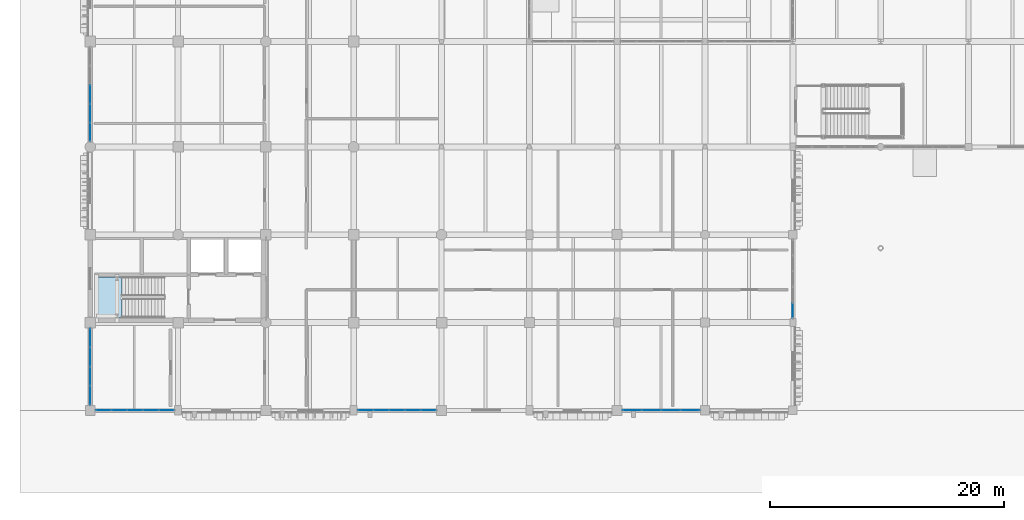
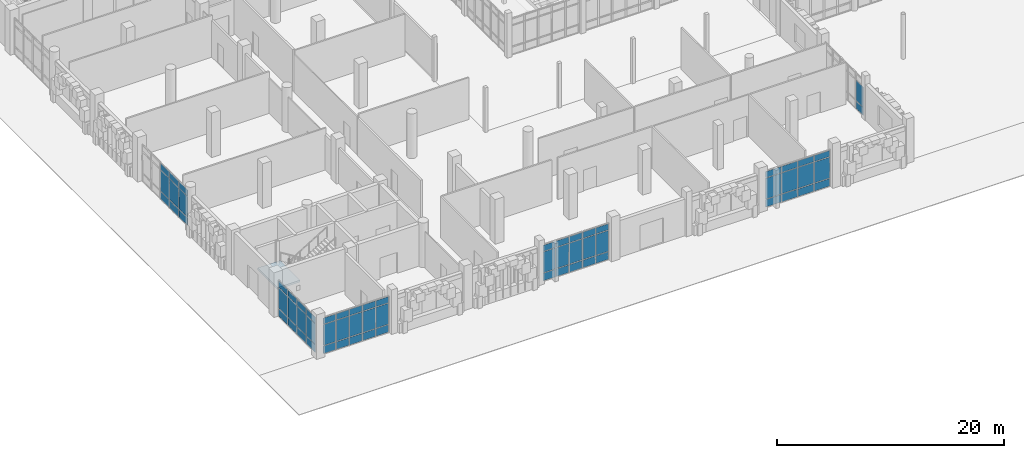
# One storey, part 70 of 125: 65 plates, 1 slab, 7 elements without a shape of their own.
"""IFC4 building model written with IfcOpenShell, lengths in metres."""

from ifc_helpers import new_model, si_unit, direction, frame, origin, origin_2d, place, context, subcontext, project, spatial, polyline, rectangle, outline, extrude, material, layer, layer_set, type_object, element, aggregate, save


model = new_model("IFC4")

# Units and contexts
model_context = context("Model", 3, precision=1e-05, world=origin(), true_north=direction((0.0, 1.0)))
body_context = subcontext(model_context, "Body", "Model", "MODEL_VIEW")
ifc_project = project(units=[si_unit("LENGTHUNIT", "METRE"), si_unit("AREAUNIT", "SQUARE_METRE"), si_unit("VOLUMEUNIT", "CUBIC_METRE"), si_unit("PLANEANGLEUNIT", "RADIAN"), si_unit("MASSUNIT", "GRAM", prefix="KILO")], contexts=[model_context])

# Site, building, storey
site_placement = place(None, origin())
site = spatial("IfcSite", under=ifc_project, at=site_placement, CompositionType="ELEMENT")
building_placement = place(site_placement, origin())
building = spatial("IfcBuilding", under=site, at=building_placement, Name="Dalvernix Boulevard General Hospital", CompositionType="ELEMENT")
storey_placement = place(building_placement, origin())
storey = spatial("IfcBuildingStorey", under=building, at=storey_placement, Name="L00", CompositionType="ELEMENT", Elevation=0.0)

# Curtain wall, plates
ifc_material_1 = material(Name="Thermally broken aluminium and solar-control glass curtain wall", Category="aluminium")
ifc_layer_1 = layer(ifc_material_1, 0.159912109375)
ifc_layer_set_1 = layer_set([ifc_layer_1], Name="Thermally broken aluminium and solar-control glass curtain wall (CW-CW-A-68x40)")
curtain_wall_type_1 = type_object("IfcCurtainWallType", Name="CW-CW-A-68x40", PredefinedType="USERDEFINED", material=ifc_layer_set_1)
curtain_wall_1_placement = place(storey_placement, origin())
curtain_wall_1 = element("IfcCurtainWall", 1, at=curtain_wall_1_placement, inside=storey, type_object=curtain_wall_type_1, Name="L00 curtain wall CW-A-68x40 0-0", ObjectType="GLAZED FACADE", PredefinedType="USERDEFINED")
ifc_material_2 = material(Name="Double-glazed solar-control low-emissivity glass", Category="glass")
ifc_layer_2 = layer(ifc_material_2, 0.02392578125)
ifc_layer_set_2 = layer_set([ifc_layer_2], Name="Double-glazed solar-control low-emissivity glass (PLT-CW-P1)")
plate_type = type_object("IfcPlateType", Name="PLT-CW-P1", PredefinedType="CURTAIN_PANEL", material=ifc_layer_set_2)
plate_1_placement = place(storey_placement, frame((6.49951171875, 0.0, 0.06005859375), z_axis=(0.0, 0.0, 1.0), x_axis=(-1.0, 0.0, 0.0)))
plate_1 = element("IfcPlate", 2, at=plate_1_placement, type_object=plate_type, Name="CW-A-68x40 panel 1.1", PredefinedType="CURTAIN_PANEL", context=body_context, shape_type="SweptSolid", body=[
    extrude(rectangle(XDim=1.260986328125, YDim=0.02392578125, at=origin_2d()), origin(), (0.0, 0.0, 1.0), 0.81005859375),
])
plate_2_placement = place(storey_placement, frame((6.49951171875, 0.0, 0.93017578125), z_axis=(0.0, 0.0, 1.0), x_axis=(-1.0, 0.0, 0.0)))
plate_2 = element("IfcPlate", 3, at=plate_2_placement, type_object=plate_type, Name="CW-A-68x40 panel 1.2", PredefinedType="CURTAIN_PANEL", context=body_context, shape_type="SweptSolid", body=[
    extrude(rectangle(XDim=1.260986328125, YDim=0.02392578125, at=origin_2d()), origin(), (0.0, 0.0, 1.0), 2.239990234375),
])
plate_3_placement = place(storey_placement, frame((6.49951171875, 0.0, 3.22998046875), z_axis=(0.0, 0.0, 1.0), x_axis=(-1.0, 0.0, 0.0)))
plate_3 = element("IfcPlate", 4, at=plate_3_placement, type_object=plate_type, Name="CW-A-68x40 panel 1.3", PredefinedType="CURTAIN_PANEL", context=body_context, shape_type="SweptSolid", body=[
    extrude(rectangle(XDim=1.260986328125, YDim=0.02392578125, at=origin_2d()), origin(), (0.0, 0.0, 1.0), 0.659912109375),
])
plate_4_placement = place(storey_placement, frame((5.16357421875, 0.0, 0.06005859375), z_axis=(0.0, 0.0, 1.0), x_axis=(-1.0, 0.0, 0.0)))
plate_4 = element("IfcPlate", 5, at=plate_4_placement, type_object=plate_type, Name="CW-A-68x40 panel 2.1", PredefinedType="CURTAIN_PANEL", context=body_context, shape_type="SweptSolid", body=[
    extrude(rectangle(XDim=1.291015625, YDim=0.02392578125, at=origin_2d()), origin(), (0.0, 0.0, 1.0), 0.81005859375),
])
plate_5_placement = place(storey_placement, frame((5.16357421875, 0.0, 0.93017578125), z_axis=(0.0, 0.0, 1.0), x_axis=(-1.0, 0.0, 0.0)))
plate_5 = element("IfcPlate", 6, at=plate_5_placement, type_object=plate_type, Name="CW-A-68x40 panel 2.2", PredefinedType="CURTAIN_PANEL", context=body_context, shape_type="SweptSolid", body=[
    extrude(rectangle(XDim=1.291015625, YDim=0.02392578125, at=origin_2d()), origin(), (0.0, 0.0, 1.0), 2.239990234375),
])
plate_6_placement = place(storey_placement, frame((5.16357421875, 0.0, 3.22998046875), z_axis=(0.0, 0.0, 1.0), x_axis=(-1.0, 0.0, 0.0)))
plate_6 = element("IfcPlate", 7, at=plate_6_placement, type_object=plate_type, Name="CW-A-68x40 panel 2.3", PredefinedType="CURTAIN_PANEL", context=body_context, shape_type="SweptSolid", body=[
    extrude(rectangle(XDim=1.291015625, YDim=0.02392578125, at=origin_2d()), origin(), (0.0, 0.0, 1.0), 0.659912109375),
])
plate_7_placement = place(storey_placement, frame((3.8125, 0.0, 0.06005859375), z_axis=(0.0, 0.0, 1.0), x_axis=(-1.0, 0.0, 0.0)))
plate_7 = element("IfcPlate", 8, at=plate_7_placement, type_object=plate_type, Name="CW-A-68x40 panel 3.1", PredefinedType="CURTAIN_PANEL", context=body_context, shape_type="SweptSolid", body=[
    extrude(rectangle(XDim=1.291015625, YDim=0.02392578125, at=origin_2d()), origin(), (0.0, 0.0, 1.0), 0.81005859375),
])
plate_8_placement = place(storey_placement, frame((3.8125, 0.0, 0.93017578125), z_axis=(0.0, 0.0, 1.0), x_axis=(-1.0, 0.0, 0.0)))
plate_8 = element("IfcPlate", 9, at=plate_8_placement, type_object=plate_type, Name="CW-A-68x40 panel 3.2", PredefinedType="CURTAIN_PANEL", context=body_context, shape_type="SweptSolid", body=[
    extrude(rectangle(XDim=1.291015625, YDim=0.02392578125, at=origin_2d()), origin(), (0.0, 0.0, 1.0), 2.239990234375),
])
plate_9_placement = place(storey_placement, frame((3.8125, 0.0, 3.22998046875), z_axis=(0.0, 0.0, 1.0), x_axis=(-1.0, 0.0, 0.0)))
plate_9 = element("IfcPlate", 10, at=plate_9_placement, type_object=plate_type, Name="CW-A-68x40 panel 3.3", PredefinedType="CURTAIN_PANEL", context=body_context, shape_type="SweptSolid", body=[
    extrude(rectangle(XDim=1.291015625, YDim=0.02392578125, at=origin_2d()), origin(), (0.0, 0.0, 1.0), 0.659912109375),
])
plate_10_placement = place(storey_placement, frame((2.46142578125, 0.0, 0.06005859375), z_axis=(0.0, 0.0, 1.0), x_axis=(-1.0, 0.0, 0.0)))
plate_10 = element("IfcPlate", 11, at=plate_10_placement, type_object=plate_type, Name="CW-A-68x40 panel 4.1", PredefinedType="CURTAIN_PANEL", context=body_context, shape_type="SweptSolid", body=[
    extrude(rectangle(XDim=1.291015625, YDim=0.02392578125, at=origin_2d()), origin(), (0.0, 0.0, 1.0), 0.81005859375),
])
plate_11_placement = place(storey_placement, frame((2.46142578125, 0.0, 0.93017578125), z_axis=(0.0, 0.0, 1.0), x_axis=(-1.0, 0.0, 0.0)))
plate_11 = element("IfcPlate", 12, at=plate_11_placement, type_object=plate_type, Name="CW-A-68x40 panel 4.2", PredefinedType="CURTAIN_PANEL", context=body_context, shape_type="SweptSolid", body=[
    extrude(rectangle(XDim=1.291015625, YDim=0.02392578125, at=origin_2d()), origin(), (0.0, 0.0, 1.0), 2.239990234375),
])
plate_12_placement = place(storey_placement, frame((2.46142578125, 0.0, 3.22998046875), z_axis=(0.0, 0.0, 1.0), x_axis=(-1.0, 0.0, 0.0)))
plate_12 = element("IfcPlate", 13, at=plate_12_placement, type_object=plate_type, Name="CW-A-68x40 panel 4.3", PredefinedType="CURTAIN_PANEL", context=body_context, shape_type="SweptSolid", body=[
    extrude(rectangle(XDim=1.291015625, YDim=0.02392578125, at=origin_2d()), origin(), (0.0, 0.0, 1.0), 0.659912109375),
])
plate_13_placement = place(storey_placement, frame((1.12548828125, 0.0, 0.06005859375), z_axis=(0.0, 0.0, 1.0), x_axis=(-1.0, 0.0, 0.0)))
plate_13 = element("IfcPlate", 14, at=plate_13_placement, type_object=plate_type, Name="CW-A-68x40 panel 5.1", PredefinedType="CURTAIN_PANEL", context=body_context, shape_type="SweptSolid", body=[
    extrude(rectangle(XDim=1.260986328125, YDim=0.02392578125, at=origin_2d()), origin(), (0.0, 0.0, 1.0), 0.81005859375),
])
plate_14_placement = place(storey_placement, frame((1.12548828125, 0.0, 0.93017578125), z_axis=(0.0, 0.0, 1.0), x_axis=(-1.0, 0.0, 0.0)))
plate_14 = element("IfcPlate", 15, at=plate_14_placement, type_object=plate_type, Name="CW-A-68x40 panel 5.2", PredefinedType="CURTAIN_PANEL", context=body_context, shape_type="SweptSolid", body=[
    extrude(rectangle(XDim=1.260986328125, YDim=0.02392578125, at=origin_2d()), origin(), (0.0, 0.0, 1.0), 2.239990234375),
])
plate_15_placement = place(storey_placement, frame((1.12548828125, 0.0, 3.22998046875), z_axis=(0.0, 0.0, 1.0), x_axis=(-1.0, 0.0, 0.0)))
plate_15 = element("IfcPlate", 16, at=plate_15_placement, type_object=plate_type, Name="CW-A-68x40 panel 5.3", PredefinedType="CURTAIN_PANEL", context=body_context, shape_type="SweptSolid", body=[
    extrude(rectangle(XDim=1.260986328125, YDim=0.02392578125, at=origin_2d()), origin(), (0.0, 0.0, 1.0), 0.659912109375),
])
aggregate(curtain_wall_1, [plate_1, plate_2, plate_3, plate_4, plate_5, plate_6, plate_7, plate_8, plate_9, plate_10, plate_11, plate_12, plate_13, plate_14, plate_15])

ifc_layer_3 = layer(ifc_material_1, 0.159912109375)
ifc_layer_set_3 = layer_set([ifc_layer_3], Name="Thermally broken aluminium and solar-control glass curtain wall (CW-CW-A-66x39)")
curtain_wall_type_2 = type_object("IfcCurtainWallType", Name="CW-CW-A-66x39", PredefinedType="USERDEFINED", material=ifc_layer_set_3)
curtain_wall_2_placement = place(storey_placement, origin())
curtain_wall_2 = element("IfcCurtainWall", 17, at=curtain_wall_2_placement, inside=storey, type_object=curtain_wall_type_2, Name="L00 curtain wall CW-A-66x39 0-0", ObjectType="GLAZED FACADE", PredefinedType="USERDEFINED")
plate_16_placement = place(storey_placement, frame((0.0, 1.275634765625, 0.06005859375), z_axis=(0.0, 0.0, 1.0), x_axis=(0.0, 1.0, 0.0)))
plate_16 = element("IfcPlate", 18, at=plate_16_placement, type_object=plate_type, Name="CW-A-66x39 panel 1.1", PredefinedType="CURTAIN_PANEL", context=body_context, shape_type="SweptSolid", body=[
    extrude(rectangle(XDim=1.561279296875, YDim=0.02392578125, at=origin_2d()), origin(), (0.0, 0.0, 1.0), 0.81005859375),
])
plate_17_placement = place(storey_placement, frame((0.0, 1.275634765625, 0.929931640625), z_axis=(0.0, 0.0, 1.0), x_axis=(0.0, 1.0, 0.0)))
plate_17 = element("IfcPlate", 19, at=plate_17_placement, type_object=plate_type, Name="CW-A-66x39 panel 1.2", PredefinedType="CURTAIN_PANEL", context=body_context, shape_type="SweptSolid", body=[
    extrude(rectangle(XDim=1.561279296875, YDim=0.02392578125, at=origin_2d()), origin(), (0.0, 0.0, 1.0), 2.18994140625),
])
plate_18_placement = place(storey_placement, frame((0.0, 1.275634765625, 3.18017578125), z_axis=(0.0, 0.0, 1.0), x_axis=(0.0, 1.0, 0.0)))
plate_18 = element("IfcPlate", 20, at=plate_18_placement, type_object=plate_type, Name="CW-A-66x39 panel 1.3", PredefinedType="CURTAIN_PANEL", context=body_context, shape_type="SweptSolid", body=[
    extrude(rectangle(XDim=1.561279296875, YDim=0.02392578125, at=origin_2d()), origin(), (0.0, 0.0, 1.0), 0.659912109375),
])
plate_19_placement = place(storey_placement, frame((0.0, 2.911865234375, 0.06005859375), z_axis=(0.0, 0.0, 1.0), x_axis=(0.0, 1.0, 0.0)))
plate_19 = element("IfcPlate", 21, at=plate_19_placement, type_object=plate_type, Name="CW-A-66x39 panel 2.1", PredefinedType="CURTAIN_PANEL", context=body_context, shape_type="SweptSolid", body=[
    extrude(rectangle(XDim=1.59130859375, YDim=0.02392578125, at=origin_2d()), origin(), (0.0, 0.0, 1.0), 0.81005859375),
])
plate_20_placement = place(storey_placement, frame((0.0, 2.911865234375, 0.929931640625), z_axis=(0.0, 0.0, 1.0), x_axis=(0.0, 1.0, 0.0)))
plate_20 = element("IfcPlate", 22, at=plate_20_placement, type_object=plate_type, Name="CW-A-66x39 panel 2.2", PredefinedType="CURTAIN_PANEL", context=body_context, shape_type="SweptSolid", body=[
    extrude(rectangle(XDim=1.59130859375, YDim=0.02392578125, at=origin_2d()), origin(), (0.0, 0.0, 1.0), 2.18994140625),
])
plate_21_placement = place(storey_placement, frame((0.0, 2.911865234375, 3.18017578125), z_axis=(0.0, 0.0, 1.0), x_axis=(0.0, 1.0, 0.0)))
plate_21 = element("IfcPlate", 23, at=plate_21_placement, type_object=plate_type, Name="CW-A-66x39 panel 2.3", PredefinedType="CURTAIN_PANEL", context=body_context, shape_type="SweptSolid", body=[
    extrude(rectangle(XDim=1.59130859375, YDim=0.02392578125, at=origin_2d()), origin(), (0.0, 0.0, 1.0), 0.659912109375),
])
plate_22_placement = place(storey_placement, frame((0.0, 4.563232421875, 0.06005859375), z_axis=(0.0, 0.0, 1.0), x_axis=(0.0, 1.0, 0.0)))
plate_22 = element("IfcPlate", 24, at=plate_22_placement, type_object=plate_type, Name="CW-A-66x39 panel 3.1", PredefinedType="CURTAIN_PANEL", context=body_context, shape_type="SweptSolid", body=[
    extrude(rectangle(XDim=1.59130859375, YDim=0.02392578125, at=origin_2d()), origin(), (0.0, 0.0, 1.0), 0.81005859375),
])
plate_23_placement = place(storey_placement, frame((0.0, 4.563232421875, 0.929931640625), z_axis=(0.0, 0.0, 1.0), x_axis=(0.0, 1.0, 0.0)))
plate_23 = element("IfcPlate", 25, at=plate_23_placement, type_object=plate_type, Name="CW-A-66x39 panel 3.2", PredefinedType="CURTAIN_PANEL", context=body_context, shape_type="SweptSolid", body=[
    extrude(rectangle(XDim=1.59130859375, YDim=0.02392578125, at=origin_2d()), origin(), (0.0, 0.0, 1.0), 2.18994140625),
])
plate_24_placement = place(storey_placement, frame((0.0, 4.563232421875, 3.18017578125), z_axis=(0.0, 0.0, 1.0), x_axis=(0.0, 1.0, 0.0)))
plate_24 = element("IfcPlate", 26, at=plate_24_placement, type_object=plate_type, Name="CW-A-66x39 panel 3.3", PredefinedType="CURTAIN_PANEL", context=body_context, shape_type="SweptSolid", body=[
    extrude(rectangle(XDim=1.59130859375, YDim=0.02392578125, at=origin_2d()), origin(), (0.0, 0.0, 1.0), 0.659912109375),
])
plate_25_placement = place(storey_placement, frame((0.0, 6.199462890625, 0.06005859375), z_axis=(0.0, 0.0, 1.0), x_axis=(0.0, 1.0, 0.0)))
plate_25 = element("IfcPlate", 27, at=plate_25_placement, type_object=plate_type, Name="CW-A-66x39 panel 4.1", PredefinedType="CURTAIN_PANEL", context=body_context, shape_type="SweptSolid", body=[
    extrude(rectangle(XDim=1.561279296875, YDim=0.02392578125, at=origin_2d()), origin(), (0.0, 0.0, 1.0), 0.81005859375),
])
plate_26_placement = place(storey_placement, frame((0.0, 6.199462890625, 0.929931640625), z_axis=(0.0, 0.0, 1.0), x_axis=(0.0, 1.0, 0.0)))
plate_26 = element("IfcPlate", 28, at=plate_26_placement, type_object=plate_type, Name="CW-A-66x39 panel 4.2", PredefinedType="CURTAIN_PANEL", context=body_context, shape_type="SweptSolid", body=[
    extrude(rectangle(XDim=1.561279296875, YDim=0.02392578125, at=origin_2d()), origin(), (0.0, 0.0, 1.0), 2.18994140625),
])
plate_27_placement = place(storey_placement, frame((0.0, 6.199462890625, 3.18017578125), z_axis=(0.0, 0.0, 1.0), x_axis=(0.0, 1.0, 0.0)))
plate_27 = element("IfcPlate", 29, at=plate_27_placement, type_object=plate_type, Name="CW-A-66x39 panel 4.3", PredefinedType="CURTAIN_PANEL", context=body_context, shape_type="SweptSolid", body=[
    extrude(rectangle(XDim=1.561279296875, YDim=0.02392578125, at=origin_2d()), origin(), (0.0, 0.0, 1.0), 0.659912109375),
])
aggregate(curtain_wall_2, [plate_16, plate_17, plate_18, plate_19, plate_20, plate_21, plate_22, plate_23, plate_24, plate_25, plate_26, plate_27])

ifc_layer_4 = layer(ifc_material_1, 0.159912109375)
ifc_layer_set_4 = layer_set([ifc_layer_4], Name="Thermally broken aluminium and solar-control glass curtain wall (CW-CW-A-81x40)")
curtain_wall_type_3 = type_object("IfcCurtainWallType", Name="CW-CW-A-81x40", PredefinedType="USERDEFINED", material=ifc_layer_set_4)
curtain_wall_3_placement = place(storey_placement, origin())
curtain_wall_3 = element("IfcCurtainWall", 30, at=curtain_wall_3_placement, inside=storey, type_object=curtain_wall_type_3, Name="L00 curtain wall CW-A-81x40 0-3", ObjectType="GLAZED FACADE", PredefinedType="USERDEFINED")
plate_28_placement = place(storey_placement, frame((0.0, 23.782958984375, 0.06005859375), z_axis=(0.0, 0.0, 1.0), x_axis=(0.0, 1.0, 0.0)))
plate_28 = element("IfcPlate", 31, at=plate_28_placement, type_object=plate_type, Name="CW-A-81x40 panel 1.1", PredefinedType="CURTAIN_PANEL", context=body_context, shape_type="SweptSolid", body=[
    extrude(rectangle(XDim=1.52587890625, YDim=0.02392578125, at=origin_2d()), origin(), (0.0, 0.0, 1.0), 0.81005859375),
])
plate_29_placement = place(storey_placement, frame((0.0, 23.782958984375, 0.93017578125), z_axis=(0.0, 0.0, 1.0), x_axis=(0.0, 1.0, 0.0)))
plate_29 = element("IfcPlate", 32, at=plate_29_placement, type_object=plate_type, Name="CW-A-81x40 panel 1.2", PredefinedType="CURTAIN_PANEL", context=body_context, shape_type="SweptSolid", body=[
    extrude(rectangle(XDim=1.52587890625, YDim=0.02392578125, at=origin_2d()), origin(), (0.0, 0.0, 1.0), 2.239990234375),
])
plate_30_placement = place(storey_placement, frame((0.0, 23.782958984375, 3.22998046875), z_axis=(0.0, 0.0, 1.0), x_axis=(0.0, 1.0, 0.0)))
plate_30 = element("IfcPlate", 33, at=plate_30_placement, type_object=plate_type, Name="CW-A-81x40 panel 1.3", PredefinedType="CURTAIN_PANEL", context=body_context, shape_type="SweptSolid", body=[
    extrude(rectangle(XDim=1.52587890625, YDim=0.02392578125, at=origin_2d()), origin(), (0.0, 0.0, 1.0), 0.659912109375),
])
plate_31_placement = place(storey_placement, frame((0.0, 25.384033203125, 0.06005859375), z_axis=(0.0, 0.0, 1.0), x_axis=(0.0, 1.0, 0.0)))
plate_31 = element("IfcPlate", 34, at=plate_31_placement, type_object=plate_type, Name="CW-A-81x40 panel 2.1", PredefinedType="CURTAIN_PANEL", context=body_context, shape_type="SweptSolid", body=[
    extrude(rectangle(XDim=1.555908203125, YDim=0.02392578125, at=origin_2d()), origin(), (0.0, 0.0, 1.0), 0.81005859375),
])
plate_32_placement = place(storey_placement, frame((0.0, 25.384033203125, 0.93017578125), z_axis=(0.0, 0.0, 1.0), x_axis=(0.0, 1.0, 0.0)))
plate_32 = element("IfcPlate", 35, at=plate_32_placement, type_object=plate_type, Name="CW-A-81x40 panel 2.2", PredefinedType="CURTAIN_PANEL", context=body_context, shape_type="SweptSolid", body=[
    extrude(rectangle(XDim=1.555908203125, YDim=0.02392578125, at=origin_2d()), origin(), (0.0, 0.0, 1.0), 2.239990234375),
])
plate_33_placement = place(storey_placement, frame((0.0, 25.384033203125, 3.22998046875), z_axis=(0.0, 0.0, 1.0), x_axis=(0.0, 1.0, 0.0)))
plate_33 = element("IfcPlate", 36, at=plate_33_placement, type_object=plate_type, Name="CW-A-81x40 panel 2.3", PredefinedType="CURTAIN_PANEL", context=body_context, shape_type="SweptSolid", body=[
    extrude(rectangle(XDim=1.555908203125, YDim=0.02392578125, at=origin_2d()), origin(), (0.0, 0.0, 1.0), 0.659912109375),
])
plate_34_placement = place(storey_placement, frame((0.0, 27.0, 0.06005859375), z_axis=(0.0, 0.0, 1.0), x_axis=(0.0, 1.0, 0.0)))
plate_34 = element("IfcPlate", 37, at=plate_34_placement, type_object=plate_type, Name="CW-A-81x40 panel 3.1", PredefinedType="CURTAIN_PANEL", context=body_context, shape_type="SweptSolid", body=[
    extrude(rectangle(XDim=1.555908203125, YDim=0.02392578125, at=origin_2d()), origin(), (0.0, 0.0, 1.0), 0.81005859375),
])
plate_35_placement = place(storey_placement, frame((0.0, 27.0, 0.93017578125), z_axis=(0.0, 0.0, 1.0), x_axis=(0.0, 1.0, 0.0)))
plate_35 = element("IfcPlate", 38, at=plate_35_placement, type_object=plate_type, Name="CW-A-81x40 panel 3.2", PredefinedType="CURTAIN_PANEL", context=body_context, shape_type="SweptSolid", body=[
    extrude(rectangle(XDim=1.555908203125, YDim=0.02392578125, at=origin_2d()), origin(), (0.0, 0.0, 1.0), 2.239990234375),
])
plate_36_placement = place(storey_placement, frame((0.0, 27.0, 3.22998046875), z_axis=(0.0, 0.0, 1.0), x_axis=(0.0, 1.0, 0.0)))
plate_36 = element("IfcPlate", 39, at=plate_36_placement, type_object=plate_type, Name="CW-A-81x40 panel 3.3", PredefinedType="CURTAIN_PANEL", context=body_context, shape_type="SweptSolid", body=[
    extrude(rectangle(XDim=1.555908203125, YDim=0.02392578125, at=origin_2d()), origin(), (0.0, 0.0, 1.0), 0.659912109375),
])
aggregate(curtain_wall_3, [plate_28, plate_29, plate_30, plate_31, plate_32, plate_33, plate_34, plate_35, plate_36])

curtain_wall_4_placement = place(storey_placement, origin())
curtain_wall_4 = element("IfcCurtainWall", 40, at=curtain_wall_4_placement, inside=storey, type_object=curtain_wall_type_1, Name="L00 curtain wall CW-A-68x40 3-0", ObjectType="GLAZED FACADE", PredefinedType="USERDEFINED")
plate_37_placement = place(storey_placement, frame((28.87451171875, 0.0, 0.06005859375), z_axis=(0.0, 0.0, 1.0), x_axis=(-1.0, 0.0, 0.0)))
plate_37 = element("IfcPlate", 41, at=plate_37_placement, type_object=plate_type, Name="CW-A-68x40 panel 1.1", PredefinedType="CURTAIN_PANEL", context=body_context, shape_type="SweptSolid", body=[
    extrude(rectangle(XDim=1.260986328125, YDim=0.02392578125, at=origin_2d()), origin(), (0.0, 0.0, 1.0), 0.81005859375),
])
plate_38_placement = place(storey_placement, frame((28.87451171875, 0.0, 0.93017578125), z_axis=(0.0, 0.0, 1.0), x_axis=(-1.0, 0.0, 0.0)))
plate_38 = element("IfcPlate", 42, at=plate_38_placement, type_object=plate_type, Name="CW-A-68x40 panel 1.2", PredefinedType="CURTAIN_PANEL", context=body_context, shape_type="SweptSolid", body=[
    extrude(rectangle(XDim=1.260986328125, YDim=0.02392578125, at=origin_2d()), origin(), (0.0, 0.0, 1.0), 2.239990234375),
])
plate_39_placement = place(storey_placement, frame((28.87451171875, 0.0, 3.22998046875), z_axis=(0.0, 0.0, 1.0), x_axis=(-1.0, 0.0, 0.0)))
plate_39 = element("IfcPlate", 43, at=plate_39_placement, type_object=plate_type, Name="CW-A-68x40 panel 1.3", PredefinedType="CURTAIN_PANEL", context=body_context, shape_type="SweptSolid", body=[
    extrude(rectangle(XDim=1.260986328125, YDim=0.02392578125, at=origin_2d()), origin(), (0.0, 0.0, 1.0), 0.659912109375),
])
plate_40_placement = place(storey_placement, frame((27.53857421875, 0.0, 0.06005859375), z_axis=(0.0, 0.0, 1.0), x_axis=(-1.0, 0.0, 0.0)))
plate_40 = element("IfcPlate", 44, at=plate_40_placement, type_object=plate_type, Name="CW-A-68x40 panel 2.1", PredefinedType="CURTAIN_PANEL", context=body_context, shape_type="SweptSolid", body=[
    extrude(rectangle(XDim=1.291015625, YDim=0.02392578125, at=origin_2d()), origin(), (0.0, 0.0, 1.0), 0.81005859375),
])
plate_41_placement = place(storey_placement, frame((27.53857421875, 0.0, 0.93017578125), z_axis=(0.0, 0.0, 1.0), x_axis=(-1.0, 0.0, 0.0)))
plate_41 = element("IfcPlate", 45, at=plate_41_placement, type_object=plate_type, Name="CW-A-68x40 panel 2.2", PredefinedType="CURTAIN_PANEL", context=body_context, shape_type="SweptSolid", body=[
    extrude(rectangle(XDim=1.291015625, YDim=0.02392578125, at=origin_2d()), origin(), (0.0, 0.0, 1.0), 2.239990234375),
])
plate_42_placement = place(storey_placement, frame((27.53857421875, 0.0, 3.22998046875), z_axis=(0.0, 0.0, 1.0), x_axis=(-1.0, 0.0, 0.0)))
plate_42 = element("IfcPlate", 46, at=plate_42_placement, type_object=plate_type, Name="CW-A-68x40 panel 2.3", PredefinedType="CURTAIN_PANEL", context=body_context, shape_type="SweptSolid", body=[
    extrude(rectangle(XDim=1.291015625, YDim=0.02392578125, at=origin_2d()), origin(), (0.0, 0.0, 1.0), 0.659912109375),
])
plate_43_placement = place(storey_placement, frame((26.1875, 0.0, 0.06005859375), z_axis=(0.0, 0.0, 1.0), x_axis=(-1.0, 0.0, 0.0)))
plate_43 = element("IfcPlate", 47, at=plate_43_placement, type_object=plate_type, Name="CW-A-68x40 panel 3.1", PredefinedType="CURTAIN_PANEL", context=body_context, shape_type="SweptSolid", body=[
    extrude(rectangle(XDim=1.291015625, YDim=0.02392578125, at=origin_2d()), origin(), (0.0, 0.0, 1.0), 0.81005859375),
])
plate_44_placement = place(storey_placement, frame((26.1875, 0.0, 0.93017578125), z_axis=(0.0, 0.0, 1.0), x_axis=(-1.0, 0.0, 0.0)))
plate_44 = element("IfcPlate", 48, at=plate_44_placement, type_object=plate_type, Name="CW-A-68x40 panel 3.2", PredefinedType="CURTAIN_PANEL", context=body_context, shape_type="SweptSolid", body=[
    extrude(rectangle(XDim=1.291015625, YDim=0.02392578125, at=origin_2d()), origin(), (0.0, 0.0, 1.0), 2.239990234375),
])
plate_45_placement = place(storey_placement, frame((26.1875, 0.0, 3.22998046875), z_axis=(0.0, 0.0, 1.0), x_axis=(-1.0, 0.0, 0.0)))
plate_45 = element("IfcPlate", 49, at=plate_45_placement, type_object=plate_type, Name="CW-A-68x40 panel 3.3", PredefinedType="CURTAIN_PANEL", context=body_context, shape_type="SweptSolid", body=[
    extrude(rectangle(XDim=1.291015625, YDim=0.02392578125, at=origin_2d()), origin(), (0.0, 0.0, 1.0), 0.659912109375),
])
plate_46_placement = place(storey_placement, frame((24.83642578125, 0.0, 0.06005859375), z_axis=(0.0, 0.0, 1.0), x_axis=(-1.0, 0.0, 0.0)))
plate_46 = element("IfcPlate", 50, at=plate_46_placement, type_object=plate_type, Name="CW-A-68x40 panel 4.1", PredefinedType="CURTAIN_PANEL", context=body_context, shape_type="SweptSolid", body=[
    extrude(rectangle(XDim=1.291015625, YDim=0.02392578125, at=origin_2d()), origin(), (0.0, 0.0, 1.0), 0.81005859375),
])
plate_47_placement = place(storey_placement, frame((24.83642578125, 0.0, 0.93017578125), z_axis=(0.0, 0.0, 1.0), x_axis=(-1.0, 0.0, 0.0)))
plate_47 = element("IfcPlate", 51, at=plate_47_placement, type_object=plate_type, Name="CW-A-68x40 panel 4.2", PredefinedType="CURTAIN_PANEL", context=body_context, shape_type="SweptSolid", body=[
    extrude(rectangle(XDim=1.291015625, YDim=0.02392578125, at=origin_2d()), origin(), (0.0, 0.0, 1.0), 2.239990234375),
])
plate_48_placement = place(storey_placement, frame((24.83642578125, 0.0, 3.22998046875), z_axis=(0.0, 0.0, 1.0), x_axis=(-1.0, 0.0, 0.0)))
plate_48 = element("IfcPlate", 52, at=plate_48_placement, type_object=plate_type, Name="CW-A-68x40 panel 4.3", PredefinedType="CURTAIN_PANEL", context=body_context, shape_type="SweptSolid", body=[
    extrude(rectangle(XDim=1.291015625, YDim=0.02392578125, at=origin_2d()), origin(), (0.0, 0.0, 1.0), 0.659912109375),
])
plate_49_placement = place(storey_placement, frame((23.50048828125, 0.0, 0.06005859375), z_axis=(0.0, 0.0, 1.0), x_axis=(-1.0, 0.0, 0.0)))
plate_49 = element("IfcPlate", 53, at=plate_49_placement, type_object=plate_type, Name="CW-A-68x40 panel 5.1", PredefinedType="CURTAIN_PANEL", context=body_context, shape_type="SweptSolid", body=[
    extrude(rectangle(XDim=1.260986328125, YDim=0.02392578125, at=origin_2d()), origin(), (0.0, 0.0, 1.0), 0.81005859375),
])
plate_50_placement = place(storey_placement, frame((23.50048828125, 0.0, 0.93017578125), z_axis=(0.0, 0.0, 1.0), x_axis=(-1.0, 0.0, 0.0)))
plate_50 = element("IfcPlate", 54, at=plate_50_placement, type_object=plate_type, Name="CW-A-68x40 panel 5.2", PredefinedType="CURTAIN_PANEL", context=body_context, shape_type="SweptSolid", body=[
    extrude(rectangle(XDim=1.260986328125, YDim=0.02392578125, at=origin_2d()), origin(), (0.0, 0.0, 1.0), 2.239990234375),
])
plate_51_placement = place(storey_placement, frame((23.50048828125, 0.0, 3.22998046875), z_axis=(0.0, 0.0, 1.0), x_axis=(-1.0, 0.0, 0.0)))
plate_51 = element("IfcPlate", 55, at=plate_51_placement, type_object=plate_type, Name="CW-A-68x40 panel 5.3", PredefinedType="CURTAIN_PANEL", context=body_context, shape_type="SweptSolid", body=[
    extrude(rectangle(XDim=1.260986328125, YDim=0.02392578125, at=origin_2d()), origin(), (0.0, 0.0, 1.0), 0.659912109375),
])
aggregate(curtain_wall_4, [plate_37, plate_38, plate_39, plate_40, plate_41, plate_42, plate_43, plate_44, plate_45, plate_46, plate_47, plate_48, plate_49, plate_50, plate_51])

ifc_layer_5 = layer(ifc_material_1, 0.159912109375)
ifc_layer_set_5 = layer_set([ifc_layer_5], Name="Thermally broken aluminium and solar-control glass curtain wall (CW-CW-A-67x40)")
curtain_wall_type_4 = type_object("IfcCurtainWallType", Name="CW-CW-A-67x40", PredefinedType="USERDEFINED", material=ifc_layer_set_5)
curtain_wall_5_placement = place(storey_placement, origin())
curtain_wall_5 = element("IfcCurtainWall", 56, at=curtain_wall_5_placement, inside=storey, type_object=curtain_wall_type_4, Name="L00 curtain wall CW-A-67x40 6-0", ObjectType="GLAZED FACADE", PredefinedType="USERDEFINED")
plate_52_placement = place(storey_placement, frame((51.2431640625, 0.0, 0.06005859375), z_axis=(0.0, 0.0, 1.0), x_axis=(-1.0, 0.0, 0.0)))
plate_52 = element("IfcPlate", 57, at=plate_52_placement, type_object=plate_type, Name="CW-A-67x40 panel 1.1", PredefinedType="CURTAIN_PANEL", context=body_context, shape_type="SweptSolid", body=[
    extrude(rectangle(XDim=1.57373046875, YDim=0.02392578125, at=origin_2d()), origin(), (0.0, 0.0, 1.0), 0.81005859375),
])
plate_53_placement = place(storey_placement, frame((51.2431640625, 0.0, 0.93017578125), z_axis=(0.0, 0.0, 1.0), x_axis=(-1.0, 0.0, 0.0)))
plate_53 = element("IfcPlate", 58, at=plate_53_placement, type_object=plate_type, Name="CW-A-67x40 panel 1.2", PredefinedType="CURTAIN_PANEL", context=body_context, shape_type="SweptSolid", body=[
    extrude(rectangle(XDim=1.57373046875, YDim=0.02392578125, at=origin_2d()), origin(), (0.0, 0.0, 1.0), 2.239990234375),
])
plate_54_placement = place(storey_placement, frame((51.2431640625, 0.0, 3.22998046875), z_axis=(0.0, 0.0, 1.0), x_axis=(-1.0, 0.0, 0.0)))
plate_54 = element("IfcPlate", 59, at=plate_54_placement, type_object=plate_type, Name="CW-A-67x40 panel 1.3", PredefinedType="CURTAIN_PANEL", context=body_context, shape_type="SweptSolid", body=[
    extrude(rectangle(XDim=1.57373046875, YDim=0.02392578125, at=origin_2d()), origin(), (0.0, 0.0, 1.0), 0.659912109375),
])
plate_55_placement = place(storey_placement, frame((49.594482421875, 0.0, 0.06005859375), z_axis=(0.0, 0.0, 1.0), x_axis=(-1.0, 0.0, 0.0)))
plate_55 = element("IfcPlate", 60, at=plate_55_placement, type_object=plate_type, Name="CW-A-67x40 panel 2.1", PredefinedType="CURTAIN_PANEL", context=body_context, shape_type="SweptSolid", body=[
    extrude(rectangle(XDim=1.603759765625, YDim=0.02392578125, at=origin_2d()), origin(), (0.0, 0.0, 1.0), 0.81005859375),
])
plate_56_placement = place(storey_placement, frame((49.594482421875, 0.0, 0.93017578125), z_axis=(0.0, 0.0, 1.0), x_axis=(-1.0, 0.0, 0.0)))
plate_56 = element("IfcPlate", 61, at=plate_56_placement, type_object=plate_type, Name="CW-A-67x40 panel 2.2", PredefinedType="CURTAIN_PANEL", context=body_context, shape_type="SweptSolid", body=[
    extrude(rectangle(XDim=1.603759765625, YDim=0.02392578125, at=origin_2d()), origin(), (0.0, 0.0, 1.0), 2.239990234375),
])
plate_57_placement = place(storey_placement, frame((49.594482421875, 0.0, 3.22998046875), z_axis=(0.0, 0.0, 1.0), x_axis=(-1.0, 0.0, 0.0)))
plate_57 = element("IfcPlate", 62, at=plate_57_placement, type_object=plate_type, Name="CW-A-67x40 panel 2.3", PredefinedType="CURTAIN_PANEL", context=body_context, shape_type="SweptSolid", body=[
    extrude(rectangle(XDim=1.603759765625, YDim=0.02392578125, at=origin_2d()), origin(), (0.0, 0.0, 1.0), 0.659912109375),
])
plate_58_placement = place(storey_placement, frame((47.9306640625, 0.0, 0.06005859375), z_axis=(0.0, 0.0, 1.0), x_axis=(-1.0, 0.0, 0.0)))
plate_58 = element("IfcPlate", 63, at=plate_58_placement, type_object=plate_type, Name="CW-A-67x40 panel 3.1", PredefinedType="CURTAIN_PANEL", context=body_context, shape_type="SweptSolid", body=[
    extrude(rectangle(XDim=1.603759765625, YDim=0.02392578125, at=origin_2d()), origin(), (0.0, 0.0, 1.0), 0.81005859375),
])
plate_59_placement = place(storey_placement, frame((47.9306640625, 0.0, 0.93017578125), z_axis=(0.0, 0.0, 1.0), x_axis=(-1.0, 0.0, 0.0)))
plate_59 = element("IfcPlate", 64, at=plate_59_placement, type_object=plate_type, Name="CW-A-67x40 panel 3.2", PredefinedType="CURTAIN_PANEL", context=body_context, shape_type="SweptSolid", body=[
    extrude(rectangle(XDim=1.603759765625, YDim=0.02392578125, at=origin_2d()), origin(), (0.0, 0.0, 1.0), 2.239990234375),
])
plate_60_placement = place(storey_placement, frame((47.9306640625, 0.0, 3.22998046875), z_axis=(0.0, 0.0, 1.0), x_axis=(-1.0, 0.0, 0.0)))
plate_60 = element("IfcPlate", 65, at=plate_60_placement, type_object=plate_type, Name="CW-A-67x40 panel 3.3", PredefinedType="CURTAIN_PANEL", context=body_context, shape_type="SweptSolid", body=[
    extrude(rectangle(XDim=1.603759765625, YDim=0.02392578125, at=origin_2d()), origin(), (0.0, 0.0, 1.0), 0.659912109375),
])
plate_61_placement = place(storey_placement, frame((46.281982421875, 0.0, 0.06005859375), z_axis=(0.0, 0.0, 1.0), x_axis=(-1.0, 0.0, 0.0)))
plate_61 = element("IfcPlate", 66, at=plate_61_placement, type_object=plate_type, Name="CW-A-67x40 panel 4.1", PredefinedType="CURTAIN_PANEL", context=body_context, shape_type="SweptSolid", body=[
    extrude(rectangle(XDim=1.57373046875, YDim=0.02392578125, at=origin_2d()), origin(), (0.0, 0.0, 1.0), 0.81005859375),
])
plate_62_placement = place(storey_placement, frame((46.281982421875, 0.0, 0.93017578125), z_axis=(0.0, 0.0, 1.0), x_axis=(-1.0, 0.0, 0.0)))
plate_62 = element("IfcPlate", 67, at=plate_62_placement, type_object=plate_type, Name="CW-A-67x40 panel 4.2", PredefinedType="CURTAIN_PANEL", context=body_context, shape_type="SweptSolid", body=[
    extrude(rectangle(XDim=1.57373046875, YDim=0.02392578125, at=origin_2d()), origin(), (0.0, 0.0, 1.0), 2.239990234375),
])
plate_63_placement = place(storey_placement, frame((46.281982421875, 0.0, 3.22998046875), z_axis=(0.0, 0.0, 1.0), x_axis=(-1.0, 0.0, 0.0)))
plate_63 = element("IfcPlate", 68, at=plate_63_placement, type_object=plate_type, Name="CW-A-67x40 panel 4.3", PredefinedType="CURTAIN_PANEL", context=body_context, shape_type="SweptSolid", body=[
    extrude(rectangle(XDim=1.57373046875, YDim=0.02392578125, at=origin_2d()), origin(), (0.0, 0.0, 1.0), 0.659912109375),
])
aggregate(curtain_wall_5, [plate_52, plate_53, plate_54, plate_55, plate_56, plate_57, plate_58, plate_59, plate_60, plate_61, plate_62, plate_63])

ifc_layer_6 = layer(ifc_material_1, 0.159912109375)
ifc_layer_set_6 = layer_set([ifc_layer_6], Name="Thermally broken aluminium and solar-control glass curtain wall (CW-CW-A-68x39)")
curtain_wall_type_5 = type_object("IfcCurtainWallType", Name="CW-CW-A-68x39", PredefinedType="USERDEFINED", material=ifc_layer_set_6)
curtain_wall_6_placement = place(storey_placement, origin())
curtain_wall_6 = element("IfcCurtainWall", 69, at=curtain_wall_6_placement, inside=storey, type_object=curtain_wall_type_5, Name="L00 curtain wall CW-A-68x39 8-1", ObjectType="GLAZED FACADE", PredefinedType="USERDEFINED")
plate_64_placement = place(storey_placement, frame((60.0, 8.528076171875, 0.06005859375), z_axis=(0.0, 0.0, 1.0), x_axis=(0.0, -1.0, 0.0)))
plate_64 = element("IfcPlate", 70, at=plate_64_placement, type_object=plate_type, Name="CW-A-68x39 panel 5.1", PredefinedType="CURTAIN_PANEL", context=body_context, shape_type="SweptSolid", body=[
    extrude(rectangle(XDim=1.26611328125, YDim=0.02392578125, at=origin_2d()), origin(), (0.0, 0.0, 1.0), 0.81005859375),
])
plate_65_placement = place(storey_placement, frame((60.0, 8.528076171875, 0.929931640625), z_axis=(0.0, 0.0, 1.0), x_axis=(0.0, -1.0, 0.0)))
plate_65 = element("IfcPlate", 71, at=plate_65_placement, type_object=plate_type, Name="CW-A-68x39 panel 5.2", PredefinedType="CURTAIN_PANEL", context=body_context, shape_type="SweptSolid", body=[
    extrude(rectangle(XDim=1.26611328125, YDim=0.02392578125, at=origin_2d()), origin(), (0.0, 0.0, 1.0), 2.18994140625),
])
aggregate(curtain_wall_6, [plate_64, plate_65])

# Stair, slab
ifc_material_3 = material(Name="Precast concrete C40/50", Category="concrete")
stair_type = type_object("IfcStairType", Name="IFCSTAIR-STC-165x480", PredefinedType="HALF_TURN_STAIR", material=ifc_material_3)
stair_placement = place(storey_placement, origin())
stair = element("IfcStair", 72, at=stair_placement, inside=storey, type_object=stair_type, Name="L00 Core C1 Exit Stair ST-01", PredefinedType="HALF_TURN_STAIR")
ifc_layer_7 = layer(ifc_material_3, 0.199951171875)
ifc_layer_set_7 = layer_set([ifc_layer_7], Name="Precast concrete C40/50 (SLB-LND-01)")
slab_type = type_object("IfcSlabType", Name="SLB-LND-01", PredefinedType="LANDING", material=ifc_layer_set_7)
slab_placement = place(storey_placement, frame((0.0, 0.0, 2.199951171875)))
slab = element("IfcSlab", 73, at=slab_placement, type_object=slab_type, Name="ST-01 landing 1", PredefinedType="LANDING", context=body_context, shape_type="SweptSolid", body=[
    extrude(outline(polyline([(2.7099609375, 11.39990234375), (0.39990234375, 11.39990234375), (0.39990234375, 7.89990234375), (2.7099609375, 7.89990234375), (2.7099609375, 11.39990234375)])), origin(), (0.0, 0.0, 1.0), 0.199951171875),
])
aggregate(stair, [slab])

save(model, "model.ifc")
